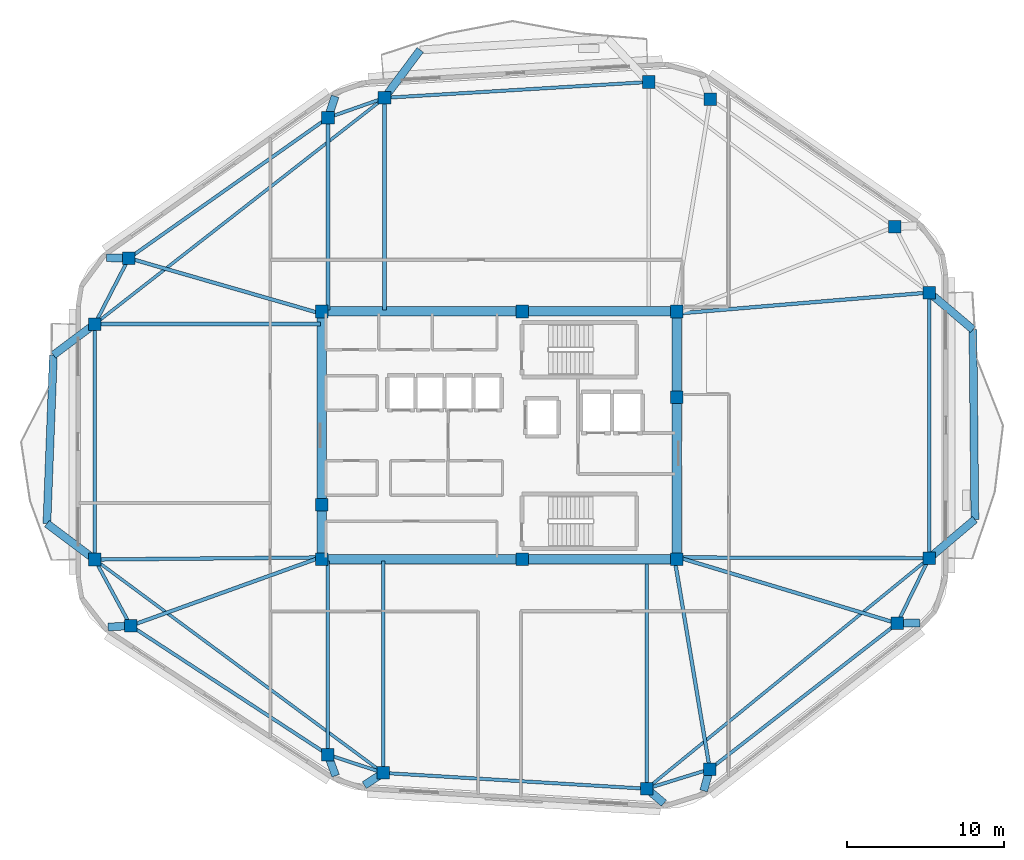
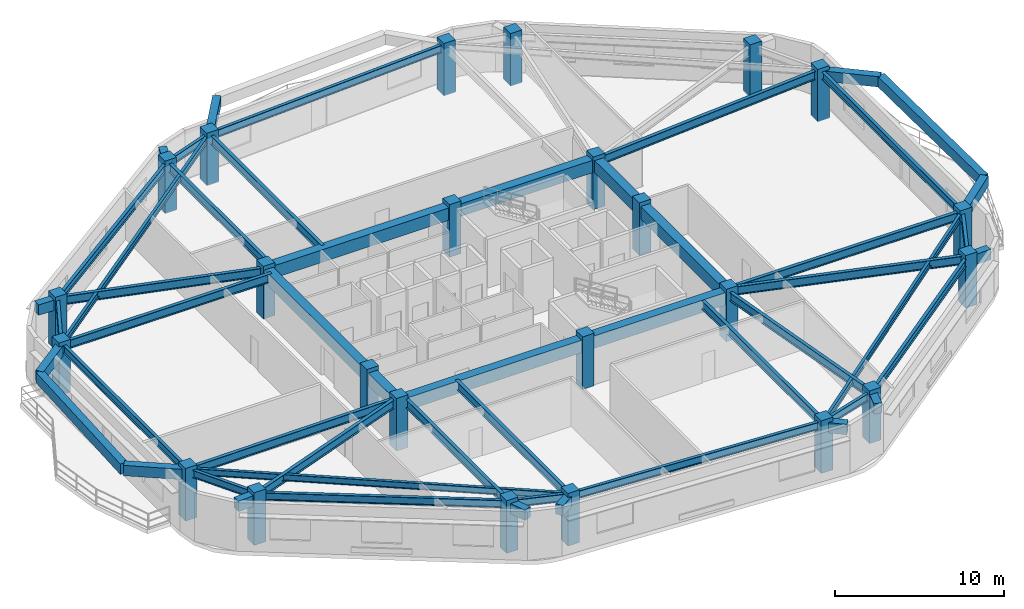
# One storey, part 1 of 9: 52 beams, 24 columns.
"""IFC4 building model written with IfcOpenShell, lengths in metres."""

from ifc_helpers import new_model, si_unit, direction, frame, origin, origin_2d, place, context, subcontext, project, spatial, rectangle, i_section, extrude, material, material_profile, profile_set, type_object, element, save


model = new_model("IFC4")

# Units and contexts
model_context = context("Model", 3, precision=1e-05, world=origin(), true_north=direction((0.0, 1.0)))
body_context = subcontext(model_context, "Body", "Model", "MODEL_VIEW")
ifc_project = project(units=[si_unit("LENGTHUNIT", "METRE"), si_unit("AREAUNIT", "SQUARE_METRE"), si_unit("VOLUMEUNIT", "CUBIC_METRE"), si_unit("PLANEANGLEUNIT", "RADIAN"), si_unit("MASSUNIT", "GRAM", prefix="KILO")], contexts=[model_context])

# Site, building, storey
site_placement = place(None, origin())
site = spatial("IfcSite", under=ifc_project, at=site_placement, CompositionType="ELEMENT")
building_placement = place(site_placement, origin())
building = spatial("IfcBuilding", under=site, at=building_placement, Name="Zulverin Broadcast Headquarters", CompositionType="ELEMENT")
storey_placement = place(building_placement, frame((0.0, 0.0, 247.800048828125)))
storey = spatial("IfcBuildingStorey", under=building, at=storey_placement, Name="L63", CompositionType="ELEMENT", Elevation=247.800048828125)

# Columns
ifc_material_1 = material(Name="Concrete C50/60", Category="concrete")
ifc_material_profile_1 = material_profile(ifc_material_1, rectangle(XDim=0.800048828125, YDim=0.800048828125, at=origin_2d()), Name="Concrete C50/60", Category="concrete")
ifc_profile_set_1 = profile_set([ifc_material_profile_1], Name="Concrete C50/60")
column_type_1 = type_object("IfcColumnType", Name="COL-RC-800", PredefinedType="COLUMN", material=ifc_profile_set_1)
for number, where, z_axis, x_axis, name in (
    (1, (29.6220703125, 3.763671875, 0.0), (0.0, 0.0, 1.0), (1.0, 0.0, 0.0), "L63 Perimeter Column T01"),
    (2, (46.3515625, 2.759521484375, 0.0), (0.0, 0.0, 1.0), (1.0, 0.0, 0.0), "L63 Perimeter Column T02"),
    (3, (50.361083984375, 4.001708984375, 0.0), (0.0, 0.0, 1.0), (1.0, 0.0, 0.0), "L63 Perimeter Column T03"),
    (4, (62.272216796875, 13.262451171875, 0.0), (0.0, 0.0, 1.0), (1.0, 0.0, 0.0), "L63 Perimeter Column T04"),
    (5, (64.300048828125, 17.40771484375, 0.0), (0.0, 0.0, 1.0), (1.0, 0.0, 0.0), "L63 Perimeter Column T05"),
    (6, (64.300048828125, 34.275634765625, 0.0), (0.0, 0.0, 1.0), (1.0, 0.0, 0.0), "L63 Perimeter Column T06"),
    (7, (62.102783203125, 38.465087890625, 0.0), (0.0, 0.0, 1.0), (1.0, 0.0, 0.0), "L63 Perimeter Column T07"),
    (8, (50.39794921875, 46.554443359375, 0.0), (0.0, 0.0, 1.0), (1.0, 0.0, 0.0), "L63 Perimeter Column T08"),
    (9, (46.4814453125, 47.6484375, 0.0), (0.0, 0.0, 1.0), (1.0, 0.0, 0.0), "L63 Perimeter Column T09"),
    (10, (29.70068359375, 46.64111328125, 0.0), (0.0, 0.0, 1.0), (1.0, 0.0, 0.0), "L63 Perimeter Column T10"),
    (11, (26.11474609375, 45.383544921875, 0.0), (0.0, 0.0, 1.0), (1.0, 0.0, 0.0), "L63 Perimeter Column T11"),
    (12, (13.46728515625, 36.457763671875, 0.0), (0.0, 0.0, 1.0), (1.0, 0.0, 0.0), "L63 Perimeter Column T12"),
    (13, (11.300048828125, 32.275390625, 0.0), (0.0, 0.0, 1.0), (1.0, 0.0, 0.0), "L63 Perimeter Column T13"),
    (14, (11.300048828125, 17.318603515625, 0.0), (0.0, 0.0, 1.0), (1.0, 0.0, 0.0), "L63 Perimeter Column T14"),
    (15, (13.576416015625, 13.11181640625, 0.0), (0.0, 0.0, 1.0), (1.0, 0.0, 0.0), "L63 Perimeter Column T15"),
    (16, (26.098876953125, 4.9287109375, 0.0), (0.0, 0.0, 1.0), (1.0, 0.0, 0.0), "L63 Perimeter Column T16"),
):
    element("IfcColumn", number, at=place(storey_placement, frame(where, z_axis=z_axis, x_axis=x_axis)), inside=storey, type_object=column_type_1, Name=name, PredefinedType="COLUMN", context=body_context, shape_type="SweptSolid", body=[
        extrude(rectangle(XDim=0.800048828125, YDim=0.800048828125, at=origin_2d()), origin(), (0.0, 0.0, 1.0), 3.800048828125),
    ])
ifc_material_profile_2 = material_profile(ifc_material_1, rectangle(XDim=0.800048828125, YDim=0.800048828125, at=origin_2d()), Name="Concrete C50/60", Category="concrete")
ifc_profile_set_2 = profile_set([ifc_material_profile_2], Name="Concrete C50/60")
column_type_2 = type_object("IfcColumnType", Name="PIL-RC-800", PredefinedType="PILASTER", material=ifc_profile_set_2)
for number, where, z_axis, x_axis, name in (
    (17, (25.72509765625, 17.324951171875, 0.0), (0.0, 0.0, 1.0), (1.0, 0.0, 0.0), "L63 Core Pilaster K01"),
    (18, (38.449951171875, 17.324951171875, 0.0), (0.0, 0.0, 1.0), (1.0, 0.0, 0.0), "L63 Core Pilaster K02"),
    (19, (48.27490234375, 17.324951171875, 0.0), (0.0, 0.0, 1.0), (1.0, 0.0, 0.0), "L63 Core Pilaster K03"),
    (20, (48.27490234375, 27.6201171875, 0.0), (0.0, 0.0, 1.0), (1.0, 0.0, 0.0), "L63 Core Pilaster K04"),
    (21, (48.27490234375, 33.074951171875, 0.0), (0.0, 0.0, 1.0), (1.0, 0.0, 0.0), "L63 Core Pilaster K05"),
    (22, (38.449951171875, 33.074951171875, 0.0), (0.0, 0.0, 1.0), (1.0, 0.0, 0.0), "L63 Core Pilaster K06"),
    (23, (25.72509765625, 33.074951171875, 0.0), (0.0, 0.0, 1.0), (1.0, 0.0, 0.0), "L63 Core Pilaster K07"),
    (24, (25.72509765625, 20.800048828125, 0.0), (0.0, 0.0, 1.0), (1.0, 0.0, 0.0), "L63 Core Pilaster K08"),
):
    element("IfcColumn", number, at=place(storey_placement, frame(where, z_axis=z_axis, x_axis=x_axis)), inside=storey, type_object=column_type_2, Name=name, PredefinedType="PILASTER", context=body_context, shape_type="SweptSolid", body=[
        extrude(rectangle(XDim=0.800048828125, YDim=0.800048828125, at=origin_2d()), origin(), (0.0, 0.0, 1.0), 3.800048828125),
    ])

# Beams
ifc_material_2 = material(Name="Concrete C60/75", Category="concrete")
ifc_material_profile_3 = material_profile(ifc_material_2, rectangle(XDim=0.60009765625, YDim=0.89990234375, at=origin_2d()), Name="Concrete C60/75", Category="concrete")
ifc_profile_set_3 = profile_set([ifc_material_profile_3], Name="Concrete C60/75")
beam_type_1 = type_object("IfcBeamType", Name="BM-CB-600x900", PredefinedType="LINTEL", material=ifc_profile_set_3)
beam_1_placement = place(storey_placement, frame((25.72509765625, 17.324951171875, 3.06005859375), z_axis=(1.0, 0.0, 0.0), x_axis=(0.0, 1.0, 0.0)))
element("IfcBeam", 25, at=beam_1_placement, inside=storey, type_object=beam_type_1, Name="L63 Core Coupling Girder K01-K02", PredefinedType="LINTEL", context=body_context, shape_type="SweptSolid", body=[
    extrude(rectangle(XDim=0.60009765625, YDim=0.89990234375, at=origin_2d()), origin(), (0.0, 0.0, 1.0), 12.724853515625),
])
beam_2_placement = place(storey_placement, frame((38.449951171875, 17.324951171875, 3.06005859375), z_axis=(1.0, 0.0, 0.0), x_axis=(0.0, 1.0, 0.0)))
element("IfcBeam", 26, at=beam_2_placement, inside=storey, type_object=beam_type_1, Name="L63 Core Coupling Girder K02-K03", PredefinedType="LINTEL", context=body_context, shape_type="SweptSolid", body=[
    extrude(rectangle(XDim=0.60009765625, YDim=0.89990234375, at=origin_2d()), origin(), (0.0, 0.0, 1.0), 9.824951171875),
])
beam_3_placement = place(storey_placement, frame((48.27490234375, 17.324951171875, 3.06005859375), z_axis=(0.0, 1.0, 0.0), x_axis=(-1.0, 0.0, 0.0)))
element("IfcBeam", 27, at=beam_3_placement, inside=storey, type_object=beam_type_1, Name="L63 Core Coupling Girder K03-K04", PredefinedType="LINTEL", context=body_context, shape_type="SweptSolid", body=[
    extrude(rectangle(XDim=0.60009765625, YDim=0.89990234375, at=origin_2d()), origin(), (0.0, 0.0, 1.0), 10.295166015625),
])
beam_4_placement = place(storey_placement, frame((48.27490234375, 27.6201171875, 3.06005859375), z_axis=(0.0, 1.0, 0.0), x_axis=(-1.0, 0.0, 0.0)))
element("IfcBeam", 28, at=beam_4_placement, inside=storey, type_object=beam_type_1, Name="L63 Core Coupling Girder K04-K05", PredefinedType="LINTEL", context=body_context, shape_type="SweptSolid", body=[
    extrude(rectangle(XDim=0.60009765625, YDim=0.89990234375, at=origin_2d()), origin(), (0.0, 0.0, 1.0), 5.454833984375),
])
beam_5_placement = place(storey_placement, frame((48.27490234375, 33.074951171875, 3.06005859375), z_axis=(-1.0, 0.0, 0.0), x_axis=(0.0, -1.0, 0.0)))
element("IfcBeam", 29, at=beam_5_placement, inside=storey, type_object=beam_type_1, Name="L63 Core Coupling Girder K05-K06", PredefinedType="LINTEL", context=body_context, shape_type="SweptSolid", body=[
    extrude(rectangle(XDim=0.60009765625, YDim=0.89990234375, at=origin_2d()), origin(), (0.0, 0.0, 1.0), 9.824951171875),
])
beam_6_placement = place(storey_placement, frame((38.449951171875, 33.074951171875, 3.06005859375), z_axis=(-1.0, 0.0, 0.0), x_axis=(0.0, -1.0, 0.0)))
element("IfcBeam", 30, at=beam_6_placement, inside=storey, type_object=beam_type_1, Name="L63 Core Coupling Girder K06-K07", PredefinedType="LINTEL", context=body_context, shape_type="SweptSolid", body=[
    extrude(rectangle(XDim=0.60009765625, YDim=0.89990234375, at=origin_2d()), origin(), (0.0, 0.0, 1.0), 12.724853515625),
])
beam_7_placement = place(storey_placement, frame((25.72509765625, 33.074951171875, 3.06005859375), z_axis=(0.0, -1.0, 0.0), x_axis=(1.0, 0.0, 0.0)))
element("IfcBeam", 31, at=beam_7_placement, inside=storey, type_object=beam_type_1, Name="L63 Core Coupling Girder K07-K08", PredefinedType="LINTEL", context=body_context, shape_type="SweptSolid", body=[
    extrude(rectangle(XDim=0.60009765625, YDim=0.89990234375, at=origin_2d()), origin(), (0.0, 0.0, 1.0), 12.27490234375),
])
beam_8_placement = place(storey_placement, frame((25.72509765625, 20.800048828125, 3.06005859375), z_axis=(0.0, -1.0, 0.0), x_axis=(1.0, 0.0, 0.0)))
element("IfcBeam", 32, at=beam_8_placement, inside=storey, type_object=beam_type_1, Name="L63 Core Coupling Girder K08-K01", PredefinedType="LINTEL", context=body_context, shape_type="SweptSolid", body=[
    extrude(rectangle(XDim=0.60009765625, YDim=0.89990234375, at=origin_2d()), origin(), (0.0, 0.0, 1.0), 3.47509765625),
])
ifc_material_3 = material(Name="Concrete C40/50", Category="concrete")
ifc_material_profile_4 = material_profile(ifc_material_3, rectangle(XDim=0.5, YDim=0.75, at=origin_2d()), Name="Concrete C40/50", Category="concrete")
ifc_profile_set_4 = profile_set([ifc_material_profile_4], Name="Concrete C40/50")
beam_type_2 = type_object("IfcBeamType", Name="BM-RC-500x750", PredefinedType="BEAM", material=ifc_profile_set_4)
beam_9_placement = place(storey_placement, frame((29.6220703125, 3.763671875, 3.135009765625), z_axis=(-0.83837730459, -0.545090355031, 0.0), x_axis=(0.545090355031, -0.83837730459, 0.0)))
element("IfcBeam", 33, at=beam_9_placement, inside=storey, type_object=beam_type_2, Name="L64 Plate Overhang Back-Spanned Beam OVR-01", PredefinedType="BEAM", context=body_context, shape_type="SweptSolid", body=[
    extrude(rectangle(XDim=0.5, YDim=0.75, at=origin_2d()), origin(), (0.0, 0.0, 1.0), 1.43017578125),
])
for number, where, z_axis, x_axis, name in (
    (34, (46.3515625, 2.759521484375, 3.135009765625), (0.767058538949, -0.641577117598, 0.0), (0.641577117598, 0.767058538949, 0.0), "L64 Plate Overhang Back-Spanned Beam OVR-02"),
    (35, (50.361083984375, 4.001708984375, 3.135009765625), (-0.269914876125, -0.962884188076, 0.0), (0.962884188076, -0.269914876125, 0.0), "L64 Plate Overhang Back-Spanned Beam OVR-03"),
):
    element("IfcBeam", number, at=place(storey_placement, frame(where, z_axis=z_axis, x_axis=x_axis)), inside=storey, type_object=beam_type_2, Name=name, PredefinedType="BEAM", context=body_context, shape_type="SweptSolid", body=[
        extrude(rectangle(XDim=0.5, YDim=0.75, at=origin_2d()), origin(), (0.0, 0.0, 1.0), 1.429931640625),
    ])
for number, where, z_axis, x_axis, name in (
    (36, (62.272216796875, 13.262451171875, 3.135009765625), (0.999706131466, 0.024241507969, 0.0), (-0.024241507969, 0.999706131466, 0.0), "L64 Plate Overhang Back-Spanned Beam OVR-04"),
    (37, (26.11474609375, 45.383544921875, 3.135009765625), (0.314280982662, 0.94933000792, 0.0), (-0.94933000792, 0.314280982662, 0.0), "L64 Plate Overhang Back-Spanned Beam OVR-11"),
):
    element("IfcBeam", number, at=place(storey_placement, frame(where, z_axis=z_axis, x_axis=x_axis)), inside=storey, type_object=beam_type_2, Name=name, PredefinedType="BEAM", context=body_context, shape_type="SweptSolid", body=[
        extrude(rectangle(XDim=0.5, YDim=0.75, at=origin_2d()), origin(), (0.0, 0.0, 1.0), 1.43017578125),
    ])
beam_10_placement = place(storey_placement, frame((13.46728515625, 36.457763671875, 3.135009765625), z_axis=(-0.999761201155, 0.02185270385, 0.0), x_axis=(-0.02185270385, -0.999761201155, 0.0)))
element("IfcBeam", 38, at=beam_10_placement, inside=storey, type_object=beam_type_2, Name="L64 Plate Overhang Back-Spanned Beam OVR-12", PredefinedType="BEAM", context=body_context, shape_type="SweptSolid", body=[
    extrude(rectangle(XDim=0.5, YDim=0.75, at=origin_2d()), origin(), (0.0, 0.0, 1.0), 1.429931640625),
])
beam_11_placement = place(storey_placement, frame((13.576416015625, 13.11181640625, 3.135009765625), z_axis=(-0.998333895448, -0.057701240879, 0.0), x_axis=(0.057701240879, -0.998333895448, 0.0)))
element("IfcBeam", 39, at=beam_11_placement, inside=storey, type_object=beam_type_2, Name="L64 Plate Overhang Back-Spanned Beam OVR-15", PredefinedType="BEAM", context=body_context, shape_type="SweptSolid", body=[
    extrude(rectangle(XDim=0.5, YDim=0.75, at=origin_2d()), origin(), (0.0, 0.0, 1.0), 1.43017578125),
])
beam_12_placement = place(storey_placement, frame((26.098876953125, 4.9287109375, 3.135009765625), z_axis=(0.348109371259, -0.93745392721, 0.0), x_axis=(0.93745392721, 0.348109371259, 0.0)))
element("IfcBeam", 40, at=beam_12_placement, inside=storey, type_object=beam_type_2, Name="L64 Plate Overhang Back-Spanned Beam OVR-16", PredefinedType="BEAM", context=body_context, shape_type="SweptSolid", body=[
    extrude(rectangle(XDim=0.5, YDim=0.75, at=origin_2d()), origin(), (0.0, 0.0, 1.0), 1.429931640625),
])
beam_13_placement = place(storey_placement, frame((64.300048828125, 17.40771484375, 3.135009765625), z_axis=(0.763327794612, 0.646011360561, 0.0), x_axis=(-0.646011360561, 0.763327794612, 0.0)))
element("IfcBeam", 41, at=beam_13_placement, inside=storey, type_object=beam_type_2, Name="L64 Balcony Column-Framed Cantilever BAL_E-1", PredefinedType="BEAM", context=body_context, shape_type="SweptSolid", body=[
    extrude(rectangle(XDim=0.5, YDim=0.75, at=origin_2d()), origin(), (0.0, 0.0, 1.0), 3.800048828125),
])
beam_14_placement = place(storey_placement, frame((64.300048828125, 34.275634765625, 3.135009765625), z_axis=(0.763363371281, -0.645969320778, 0.0), x_axis=(0.645969320778, 0.763363371281, 0.0)))
element("IfcBeam", 42, at=beam_14_placement, inside=storey, type_object=beam_type_2, Name="L64 Balcony Column-Framed Cantilever BAL_E-2", PredefinedType="BEAM", context=body_context, shape_type="SweptSolid", body=[
    extrude(rectangle(XDim=0.5, YDim=0.75, at=origin_2d()), origin(), (0.0, 0.0, 1.0), 3.637451171875),
])
beam_15_placement = place(storey_placement, frame((67.20068359375, 19.862548828125, 3.135009765625), z_axis=(-0.010280360137, 0.999947155701, 0.0), x_axis=(-0.999947155701, -0.010280360137, 0.0)))
element("IfcBeam", 43, at=beam_15_placement, inside=storey, type_object=beam_type_2, Name="L64 Balcony Outer Edge Trimmer Beam BAL_E", PredefinedType="BEAM", context=body_context, shape_type="SweptSolid", body=[
    extrude(rectangle(XDim=0.5, YDim=0.75, at=origin_2d()), origin(), (0.0, 0.0, 1.0), 12.064208984375),
])
beam_16_placement = place(storey_placement, frame((29.70068359375, 46.64111328125, 3.135009765625), z_axis=(0.597756700855, 0.801677570213, 0.0), x_axis=(-0.801677570213, 0.597756700855, 0.0)))
element("IfcBeam", 44, at=beam_16_placement, inside=storey, type_object=beam_type_2, Name="L64 Balcony Column-Framed Cantilever BAL_N-2", PredefinedType="BEAM", context=body_context, shape_type="SweptSolid", body=[
    extrude(rectangle(XDim=0.5, YDim=0.75, at=origin_2d()), origin(), (0.0, 0.0, 1.0), 3.800048828125),
])
beam_17_placement = place(storey_placement, frame((11.300048828125, 32.275390625, 3.135009765625), z_axis=(-0.800222827403, -0.599702781803, 0.0), x_axis=(0.599702781803, -0.800222827403, 0.0)))
element("IfcBeam", 45, at=beam_17_placement, inside=storey, type_object=beam_type_2, Name="L64 Balcony Column-Framed Cantilever BAL_W-1", PredefinedType="BEAM", context=body_context, shape_type="SweptSolid", body=[
    extrude(rectangle(XDim=0.5, YDim=0.75, at=origin_2d()), origin(), (0.0, 0.0, 1.0), 3.2861328125),
])
beam_18_placement = place(storey_placement, frame((11.300048828125, 17.318603515625, 3.135009765625), z_axis=(-0.80024663654, 0.599671010394, 0.0), x_axis=(-0.599671010394, -0.80024663654, 0.0)))
element("IfcBeam", 46, at=beam_18_placement, inside=storey, type_object=beam_type_2, Name="L64 Balcony Column-Framed Cantilever BAL_W-2", PredefinedType="BEAM", context=body_context, shape_type="SweptSolid", body=[
    extrude(rectangle(XDim=0.5, YDim=0.75, at=origin_2d()), origin(), (0.0, 0.0, 1.0), 3.800048828125),
])
beam_19_placement = place(storey_placement, frame((8.67041015625, 30.3046875, 3.135009765625), z_axis=(-0.03839199542, -0.999262755579, 0.0), x_axis=(0.999262755579, -0.03839199542, 0.0)))
element("IfcBeam", 47, at=beam_19_placement, inside=storey, type_object=beam_type_2, Name="L64 Balcony Outer Edge Trimmer Beam BAL_W", PredefinedType="BEAM", context=body_context, shape_type="SweptSolid", body=[
    extrude(rectangle(XDim=0.5, YDim=0.75, at=origin_2d()), origin(), (0.0, 0.0, 1.0), 10.715087890625),
])
ifc_material_4 = material(Name="Structural steel S355JR", Category="steel")
ifc_material_profile_5 = material_profile(ifc_material_4, i_section(OverallWidth=0.19287109375, OverallDepth=0.46728515625, WebThickness=0.011474609375, FlangeThickness=0.01953125, at=origin_2d()), Name="Structural steel S355JR", Category="steel")
ifc_profile_set_5 = profile_set([ifc_material_profile_5], Name="Structural steel S355JR")
beam_type_3 = type_object("IfcBeamType", Name="BM-UB-457", PredefinedType="JOIST", material=ifc_profile_set_5)
beam_20_placement = place(storey_placement, frame((46.3515625, 2.759521484375, 3.2763671875), z_axis=(0.77473799882, 0.632282399869, 0.0), x_axis=(-0.632282399869, 0.77473799882, 0.0)))
element("IfcBeam", 48, at=beam_20_placement, inside=storey, type_object=beam_type_3, Name="L63 Chordal Floor Joist J-01", PredefinedType="JOIST", context=body_context, shape_type="SweptSolid", body=[
    extrude(i_section(OverallWidth=0.19287109375, OverallDepth=0.46728515625, WebThickness=0.011474609375, FlangeThickness=0.01953125, at=origin_2d()), origin(), (0.0, 0.0, 1.0), 23.167236328125),
])
beam_21_placement = place(storey_placement, frame((29.70068359375, 46.64111328125, 3.2763671875), z_axis=(-0.788227438956, -0.615384030079, 0.0), x_axis=(0.615384030079, -0.788227438956, 0.0)))
element("IfcBeam", 49, at=beam_21_placement, inside=storey, type_object=beam_type_3, Name="L63 Chordal Floor Joist J-03", PredefinedType="JOIST", context=body_context, shape_type="SweptSolid", body=[
    extrude(i_section(OverallWidth=0.19287109375, OverallDepth=0.46728515625, WebThickness=0.011474609375, FlangeThickness=0.01953125, at=origin_2d()), origin(), (0.0, 0.0, 1.0), 23.34423828125),
])
beam_22_placement = place(storey_placement, frame((11.300048828125, 17.318603515625, 3.2763671875), z_axis=(0.803912476144, -0.594747619332, 0.0), x_axis=(0.594747619332, 0.803912476144, 0.0)))
element("IfcBeam", 50, at=beam_22_placement, inside=storey, type_object=beam_type_3, Name="L63 Chordal Floor Joist J-04", PredefinedType="JOIST", context=body_context, shape_type="SweptSolid", body=[
    extrude(i_section(OverallWidth=0.19287109375, OverallDepth=0.46728515625, WebThickness=0.011474609375, FlangeThickness=0.01953125, at=origin_2d()), origin(), (0.0, 0.0, 1.0), 22.791015625),
])
ifc_material_profile_6 = material_profile(ifc_material_4, i_section(OverallWidth=0.2119140625, OverallDepth=0.54443359375, WebThickness=0.0126953125, FlangeThickness=0.021240234375, at=origin_2d()), Name="Structural steel S355JR", Category="steel")
ifc_profile_set_6 = profile_set([ifc_material_profile_6], Name="Structural steel S355JR")
beam_type_4 = type_object("IfcBeamType", Name="BM-UB-533", PredefinedType="SPANDREL", material=ifc_profile_set_6)
beam_23_placement = place(storey_placement, frame((29.6220703125, 3.763671875, 3.237548828125), z_axis=(0.998203486609, -0.059914934044, 0.0), x_axis=(0.059914934044, 0.998203486609, 0.0)))
element("IfcBeam", 51, at=beam_23_placement, inside=storey, type_object=beam_type_4, Name="L63 Perimeter Spandrel Beam SP-01", PredefinedType="SPANDREL", context=body_context, shape_type="SweptSolid", body=[
    extrude(i_section(OverallWidth=0.2119140625, OverallDepth=0.54443359375, WebThickness=0.0126953125, FlangeThickness=0.021240234375, at=origin_2d()), origin(), (0.0, 0.0, 1.0), 16.759521484375),
])
beam_24_placement = place(storey_placement, frame((46.3515625, 2.759521484375, 3.237548828125), z_axis=(0.955208799219, 0.295932677978, 0.0), x_axis=(-0.295932677978, 0.955208799219, 0.0)))
element("IfcBeam", 52, at=beam_24_placement, inside=storey, type_object=beam_type_4, Name="L63 Perimeter Spandrel Beam SP-02", PredefinedType="SPANDREL", context=body_context, shape_type="SweptSolid", body=[
    extrude(i_section(OverallWidth=0.2119140625, OverallDepth=0.54443359375, WebThickness=0.0126953125, FlangeThickness=0.021240234375, at=origin_2d()), origin(), (0.0, 0.0, 1.0), 4.197509765625),
])
beam_25_placement = place(storey_placement, frame((50.361083984375, 4.001708984375, 3.237548828125), z_axis=(0.789463732329, 0.613797210271, 0.0), x_axis=(-0.613797210271, 0.789463732329, 0.0)))
element("IfcBeam", 53, at=beam_25_placement, inside=storey, type_object=beam_type_4, Name="L63 Perimeter Spandrel Beam SP-03", PredefinedType="SPANDREL", context=body_context, shape_type="SweptSolid", body=[
    extrude(i_section(OverallWidth=0.2119140625, OverallDepth=0.54443359375, WebThickness=0.0126953125, FlangeThickness=0.021240234375, at=origin_2d()), origin(), (0.0, 0.0, 1.0), 15.087646484375),
])
beam_26_placement = place(storey_placement, frame((62.272216796875, 13.262451171875, 3.237548828125), z_axis=(0.439430258265, 0.898276710219, 0.0), x_axis=(-0.898276710219, 0.439430258265, 0.0)))
element("IfcBeam", 54, at=beam_26_placement, inside=storey, type_object=beam_type_4, Name="L63 Perimeter Spandrel Beam SP-04", PredefinedType="SPANDREL", context=body_context, shape_type="SweptSolid", body=[
    extrude(i_section(OverallWidth=0.2119140625, OverallDepth=0.54443359375, WebThickness=0.0126953125, FlangeThickness=0.021240234375, at=origin_2d()), origin(), (0.0, 0.0, 1.0), 4.61474609375),
])
beam_27_placement = place(storey_placement, frame((64.300048828125, 17.40771484375, 3.237548828125), z_axis=(0.0, 1.0, 0.0), x_axis=(-1.0, 0.0, 0.0)))
element("IfcBeam", 55, at=beam_27_placement, inside=storey, type_object=beam_type_4, Name="L63 Perimeter Spandrel Beam SP-05", PredefinedType="SPANDREL", context=body_context, shape_type="SweptSolid", body=[
    extrude(i_section(OverallWidth=0.2119140625, OverallDepth=0.54443359375, WebThickness=0.0126953125, FlangeThickness=0.021240234375, at=origin_2d()), origin(), (0.0, 0.0, 1.0), 16.867919921875),
])
beam_28_placement = place(storey_placement, frame((46.4814453125, 47.6484375, 3.237548828125), z_axis=(-0.99820314332, -0.059920653088, 0.0), x_axis=(0.059920653088, -0.99820314332, 0.0)))
element("IfcBeam", 56, at=beam_28_placement, inside=storey, type_object=beam_type_4, Name="L63 Perimeter Spandrel Beam SP-09", PredefinedType="SPANDREL", context=body_context, shape_type="SweptSolid", body=[
    extrude(i_section(OverallWidth=0.2119140625, OverallDepth=0.54443359375, WebThickness=0.0126953125, FlangeThickness=0.021240234375, at=origin_2d()), origin(), (0.0, 0.0, 1.0), 16.81103515625),
])
beam_29_placement = place(storey_placement, frame((29.70068359375, 46.64111328125, 3.237548828125), z_axis=(-0.943653845921, -0.330934161243, 0.0), x_axis=(0.330934161243, -0.943653845921, 0.0)))
element("IfcBeam", 57, at=beam_29_placement, inside=storey, type_object=beam_type_4, Name="L63 Perimeter Spandrel Beam SP-10", PredefinedType="SPANDREL", context=body_context, shape_type="SweptSolid", body=[
    extrude(i_section(OverallWidth=0.2119140625, OverallDepth=0.54443359375, WebThickness=0.0126953125, FlangeThickness=0.021240234375, at=origin_2d()), origin(), (0.0, 0.0, 1.0), 3.800048828125),
])
beam_30_placement = place(storey_placement, frame((26.11474609375, 45.383544921875, 3.237548828125), z_axis=(-0.817023806154, -0.576603937012, 0.0), x_axis=(0.576603937012, -0.817023806154, 0.0)))
element("IfcBeam", 58, at=beam_30_placement, inside=storey, type_object=beam_type_4, Name="L63 Perimeter Spandrel Beam SP-11", PredefinedType="SPANDREL", context=body_context, shape_type="SweptSolid", body=[
    extrude(i_section(OverallWidth=0.2119140625, OverallDepth=0.54443359375, WebThickness=0.0126953125, FlangeThickness=0.021240234375, at=origin_2d()), origin(), (0.0, 0.0, 1.0), 15.47998046875),
])
beam_31_placement = place(storey_placement, frame((13.46728515625, 36.457763671875, 3.237548828125), z_axis=(-0.460082658911, -0.887876087621, 0.0), x_axis=(0.887876087621, -0.460082658911, 0.0)))
element("IfcBeam", 59, at=beam_31_placement, inside=storey, type_object=beam_type_4, Name="L63 Perimeter Spandrel Beam SP-12", PredefinedType="SPANDREL", context=body_context, shape_type="SweptSolid", body=[
    extrude(i_section(OverallWidth=0.2119140625, OverallDepth=0.54443359375, WebThickness=0.0126953125, FlangeThickness=0.021240234375, at=origin_2d()), origin(), (0.0, 0.0, 1.0), 4.71044921875),
])
beam_32_placement = place(storey_placement, frame((11.300048828125, 32.275390625, 3.237548828125), z_axis=(0.0, -1.0, 0.0), x_axis=(1.0, 0.0, 0.0)))
element("IfcBeam", 60, at=beam_32_placement, inside=storey, type_object=beam_type_4, Name="L63 Perimeter Spandrel Beam SP-13", PredefinedType="SPANDREL", context=body_context, shape_type="SweptSolid", body=[
    extrude(i_section(OverallWidth=0.2119140625, OverallDepth=0.54443359375, WebThickness=0.0126953125, FlangeThickness=0.021240234375, at=origin_2d()), origin(), (0.0, 0.0, 1.0), 14.956787109375),
])
beam_33_placement = place(storey_placement, frame((11.300048828125, 17.318603515625, 3.237548828125), z_axis=(0.475909852672, -0.879494066, 0.0), x_axis=(0.879494066, 0.475909852672, 0.0)))
element("IfcBeam", 61, at=beam_33_placement, inside=storey, type_object=beam_type_4, Name="L63 Perimeter Spandrel Beam SP-14", PredefinedType="SPANDREL", context=body_context, shape_type="SweptSolid", body=[
    extrude(i_section(OverallWidth=0.2119140625, OverallDepth=0.54443359375, WebThickness=0.0126953125, FlangeThickness=0.021240234375, at=origin_2d()), origin(), (0.0, 0.0, 1.0), 4.783203125),
])
beam_34_placement = place(storey_placement, frame((13.576416015625, 13.11181640625, 3.237548828125), z_axis=(0.837112191398, -0.547031241349, 0.0), x_axis=(0.547031241349, 0.837112191398, 0.0)))
element("IfcBeam", 62, at=beam_34_placement, inside=storey, type_object=beam_type_4, Name="L63 Perimeter Spandrel Beam SP-15", PredefinedType="SPANDREL", context=body_context, shape_type="SweptSolid", body=[
    extrude(i_section(OverallWidth=0.2119140625, OverallDepth=0.54443359375, WebThickness=0.0126953125, FlangeThickness=0.021240234375, at=origin_2d()), origin(), (0.0, 0.0, 1.0), 14.959228515625),
])
beam_35_placement = place(storey_placement, frame((26.098876953125, 4.9287109375, 3.237548828125), z_axis=(0.949437184981, -0.313957054031, 0.0), x_axis=(0.313957054031, 0.949437184981, 0.0)))
element("IfcBeam", 63, at=beam_35_placement, inside=storey, type_object=beam_type_4, Name="L63 Perimeter Spandrel Beam SP-16", PredefinedType="SPANDREL", context=body_context, shape_type="SweptSolid", body=[
    extrude(i_section(OverallWidth=0.2119140625, OverallDepth=0.54443359375, WebThickness=0.0126953125, FlangeThickness=0.021240234375, at=origin_2d()), origin(), (0.0, 0.0, 1.0), 3.7109375),
])
ifc_material_profile_7 = material_profile(ifc_material_4, i_section(OverallWidth=0.230224609375, OverallDepth=0.6171875, WebThickness=0.01318359375, FlangeThickness=0.022216796875, at=origin_2d()), Name="Structural steel S355JR", Category="steel")
ifc_profile_set_7 = profile_set([ifc_material_profile_7], Name="Structural steel S355JR")
beam_type_5 = type_object("IfcBeamType", Name="BM-UB-610", PredefinedType="BEAM", material=ifc_profile_set_7)
beam_36_placement = place(storey_placement, frame((29.6220703125, 17.22509765625, 3.201416015625), z_axis=(0.0, -1.0, 0.0), x_axis=(1.0, 0.0, 0.0)))
element("IfcBeam", 64, at=beam_36_placement, inside=storey, type_object=beam_type_5, Name="L63 Radial Primary Floor Beam RB-01", PredefinedType="BEAM", context=body_context, shape_type="SweptSolid", body=[
    extrude(i_section(OverallWidth=0.230224609375, OverallDepth=0.6171875, WebThickness=0.01318359375, FlangeThickness=0.022216796875, at=origin_2d()), origin(), (0.0, 0.0, 1.0), 13.46142578125),
])
beam_37_placement = place(storey_placement, frame((46.3515625, 17.22509765625, 3.201416015625), z_axis=(0.0, -1.0, 0.0), x_axis=(1.0, 0.0, 0.0)))
element("IfcBeam", 65, at=beam_37_placement, inside=storey, type_object=beam_type_5, Name="L63 Radial Primary Floor Beam RB-02", PredefinedType="BEAM", context=body_context, shape_type="SweptSolid", body=[
    extrude(i_section(OverallWidth=0.230224609375, OverallDepth=0.6171875, WebThickness=0.01318359375, FlangeThickness=0.022216796875, at=origin_2d()), origin(), (0.0, 0.0, 1.0), 14.465576171875),
])
beam_38_placement = place(storey_placement, frame((48.14990234375, 17.22509765625, 3.201416015625), z_axis=(0.1649275445, -0.986305685407, 0.0), x_axis=(0.986305685407, 0.1649275445, 0.0)))
element("IfcBeam", 66, at=beam_38_placement, inside=storey, type_object=beam_type_5, Name="L63 Radial Primary Floor Beam RB-03", PredefinedType="BEAM", context=body_context, shape_type="SweptSolid", body=[
    extrude(i_section(OverallWidth=0.230224609375, OverallDepth=0.6171875, WebThickness=0.01318359375, FlangeThickness=0.022216796875, at=origin_2d()), origin(), (0.0, 0.0, 1.0), 13.406982421875),
])
beam_39_placement = place(storey_placement, frame((48.375, 17.449951171875, 3.201416015625), z_axis=(0.957477907331, -0.288506597799, 0.0), x_axis=(0.288506597799, 0.957477907331, 0.0)))
element("IfcBeam", 67, at=beam_39_placement, inside=storey, type_object=beam_type_5, Name="L63 Radial Primary Floor Beam RB-04", PredefinedType="BEAM", context=body_context, shape_type="SweptSolid", body=[
    extrude(i_section(OverallWidth=0.230224609375, OverallDepth=0.6171875, WebThickness=0.01318359375, FlangeThickness=0.022216796875, at=origin_2d()), origin(), (0.0, 0.0, 1.0), 14.514404296875),
])
beam_40_placement = place(storey_placement, frame((48.375, 17.449951171875, 3.201416015625), z_axis=(0.999996482951, -0.002652185248, 0.0), x_axis=(0.002652185248, 0.999996482951, 0.0)))
element("IfcBeam", 68, at=beam_40_placement, inside=storey, type_object=beam_type_5, Name="L63 Radial Primary Floor Beam RB-05", PredefinedType="BEAM", context=body_context, shape_type="SweptSolid", body=[
    extrude(i_section(OverallWidth=0.230224609375, OverallDepth=0.6171875, WebThickness=0.01318359375, FlangeThickness=0.022216796875, at=origin_2d()), origin(), (0.0, 0.0, 1.0), 15.925048828125),
])
beam_41_placement = place(storey_placement, frame((48.375, 32.949951171875, 3.201416015625), z_axis=(0.996553024533, 0.082958238256, 0.0), x_axis=(-0.082958238256, 0.996553024533, 0.0)))
element("IfcBeam", 69, at=beam_41_placement, inside=storey, type_object=beam_type_5, Name="L63 Radial Primary Floor Beam RB-06", PredefinedType="BEAM", context=body_context, shape_type="SweptSolid", body=[
    extrude(i_section(OverallWidth=0.230224609375, OverallDepth=0.6171875, WebThickness=0.01318359375, FlangeThickness=0.022216796875, at=origin_2d()), origin(), (0.0, 0.0, 1.0), 15.980224609375),
])
beam_42_placement = place(storey_placement, frame((29.70068359375, 33.175048828125, 3.201416015625), z_axis=(0.0, 1.0, 0.0), x_axis=(-1.0, 0.0, 0.0)))
element("IfcBeam", 70, at=beam_42_placement, inside=storey, type_object=beam_type_5, Name="L63 Radial Primary Floor Beam RB-10", PredefinedType="BEAM", context=body_context, shape_type="SweptSolid", body=[
    extrude(i_section(OverallWidth=0.230224609375, OverallDepth=0.6171875, WebThickness=0.01318359375, FlangeThickness=0.022216796875, at=origin_2d()), origin(), (0.0, 0.0, 1.0), 13.466064453125),
])
beam_43_placement = place(storey_placement, frame((26.11474609375, 33.175048828125, 3.201416015625), z_axis=(0.0, 1.0, 0.0), x_axis=(-1.0, 0.0, 0.0)))
element("IfcBeam", 71, at=beam_43_placement, inside=storey, type_object=beam_type_5, Name="L63 Radial Primary Floor Beam RB-11", PredefinedType="BEAM", context=body_context, shape_type="SweptSolid", body=[
    extrude(i_section(OverallWidth=0.230224609375, OverallDepth=0.6171875, WebThickness=0.01318359375, FlangeThickness=0.022216796875, at=origin_2d()), origin(), (0.0, 0.0, 1.0), 12.20849609375),
])
beam_44_placement = place(storey_placement, frame((25.625, 32.949951171875, 3.201416015625), z_axis=(-0.960807187215, 0.277217512067, 0.0), x_axis=(-0.277217512067, -0.960807187215, 0.0)))
element("IfcBeam", 72, at=beam_44_placement, inside=storey, type_object=beam_type_5, Name="L63 Radial Primary Floor Beam RB-12", PredefinedType="BEAM", context=body_context, shape_type="SweptSolid", body=[
    extrude(i_section(OverallWidth=0.230224609375, OverallDepth=0.6171875, WebThickness=0.01318359375, FlangeThickness=0.022216796875, at=origin_2d()), origin(), (0.0, 0.0, 1.0), 12.653564453125),
])
beam_45_placement = place(storey_placement, frame((25.625, 32.275390625, 3.201416015625), z_axis=(-1.0, 0.0, 0.0), x_axis=(0.0, -1.0, 0.0)))
element("IfcBeam", 73, at=beam_45_placement, inside=storey, type_object=beam_type_5, Name="L63 Radial Primary Floor Beam RB-13", PredefinedType="BEAM", context=body_context, shape_type="SweptSolid", body=[
    extrude(i_section(OverallWidth=0.230224609375, OverallDepth=0.6171875, WebThickness=0.01318359375, FlangeThickness=0.022216796875, at=origin_2d()), origin(), (0.0, 0.0, 1.0), 14.324951171875),
])
beam_46_placement = place(storey_placement, frame((25.625, 17.449951171875, 3.201416015625), z_axis=(-0.999957965975, -0.009168766693, 0.0), x_axis=(0.009168766693, -0.999957965975, 0.0)))
element("IfcBeam", 74, at=beam_46_placement, inside=storey, type_object=beam_type_5, Name="L63 Radial Primary Floor Beam RB-14", PredefinedType="BEAM", context=body_context, shape_type="SweptSolid", body=[
    extrude(i_section(OverallWidth=0.230224609375, OverallDepth=0.6171875, WebThickness=0.01318359375, FlangeThickness=0.022216796875, at=origin_2d()), origin(), (0.0, 0.0, 1.0), 14.325439453125),
])
beam_47_placement = place(storey_placement, frame((25.625, 17.449951171875, 3.201416015625), z_axis=(-0.940871370382, -0.338764024646, 0.0), x_axis=(0.338764024646, -0.940871370382, 0.0)))
element("IfcBeam", 75, at=beam_47_placement, inside=storey, type_object=beam_type_5, Name="L63 Radial Primary Floor Beam RB-15", PredefinedType="BEAM", context=body_context, shape_type="SweptSolid", body=[
    extrude(i_section(OverallWidth=0.230224609375, OverallDepth=0.6171875, WebThickness=0.01318359375, FlangeThickness=0.022216796875, at=origin_2d()), origin(), (0.0, 0.0, 1.0), 12.8056640625),
])
beam_48_placement = place(storey_placement, frame((26.098876953125, 17.22509765625, 3.201416015625), z_axis=(0.0, -1.0, 0.0), x_axis=(1.0, 0.0, 0.0)))
element("IfcBeam", 76, at=beam_48_placement, inside=storey, type_object=beam_type_5, Name="L63 Radial Primary Floor Beam RB-16", PredefinedType="BEAM", context=body_context, shape_type="SweptSolid", body=[
    extrude(i_section(OverallWidth=0.230224609375, OverallDepth=0.6171875, WebThickness=0.01318359375, FlangeThickness=0.022216796875, at=origin_2d()), origin(), (0.0, 0.0, 1.0), 12.29638671875),
])

save(model, "model.ifc")
